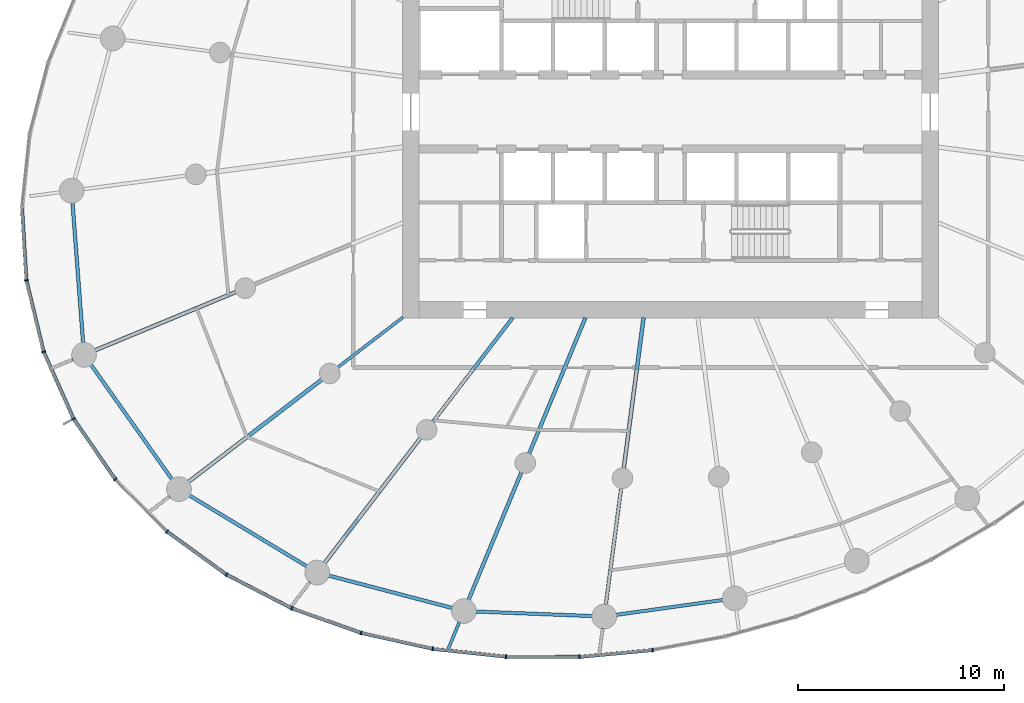
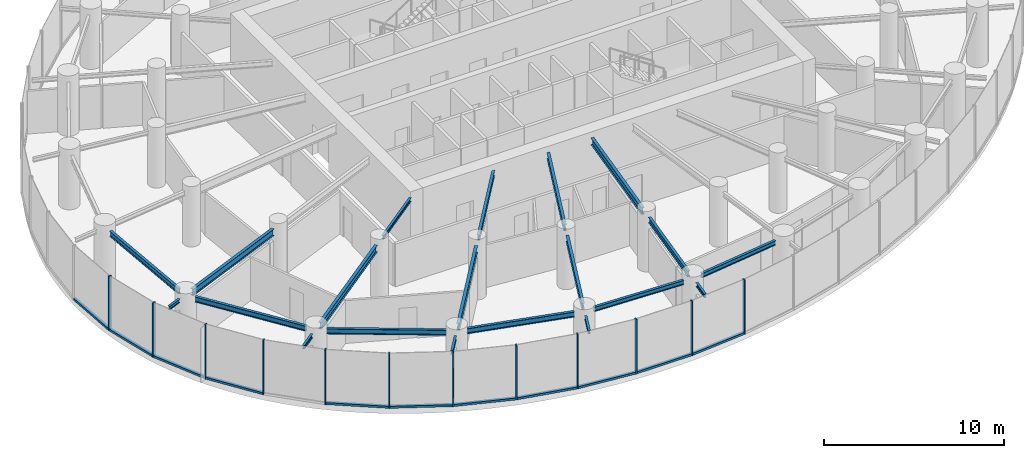
# One storey, part 2 of 17: 23 members, 20 beams, 3 elements without a shape of their own.
"""IFC4 building model written with IfcOpenShell, lengths in metres."""

from ifc_helpers import new_model, si_unit, direction, frame, origin, origin_2d, place, context, subcontext, project, spatial, rectangle, i_section, extrude, source, transform, mapped, material, layer, layer_set, material_profile, profile_set, type_object, element, aggregate, save


model = new_model("IFC4")

# Units and contexts
model_context = context("Model", 3, precision=1e-05, world=origin(), true_north=direction((0.0, 1.0)))
body_context = subcontext(model_context, "Body", "Model", "MODEL_VIEW")
ifc_project = project(units=[si_unit("LENGTHUNIT", "METRE"), si_unit("AREAUNIT", "SQUARE_METRE"), si_unit("VOLUMEUNIT", "CUBIC_METRE"), si_unit("PLANEANGLEUNIT", "RADIAN"), si_unit("MASSUNIT", "GRAM", prefix="KILO")], contexts=[model_context])

# Site, building, storey
site_placement = place(None, origin())
site = spatial("IfcSite", under=ifc_project, at=site_placement, CompositionType="ELEMENT")
building_placement = place(site_placement, origin())
building = spatial("IfcBuilding", under=site, at=building_placement, Name="Spindrift Exchange Tower", CompositionType="ELEMENT")
storey_placement = place(building_placement, frame((0.0, 0.0, 92.10009765625)))
storey = spatial("IfcBuildingStorey", under=building, at=storey_placement, Name="L21", CompositionType="ELEMENT", Elevation=92.10009765625)

# Beams
ifc_material_1 = material(Name="Steel Grade 300", Category="steel")
ifc_material_profile_1 = material_profile(ifc_material_1, i_section(OverallWidth=0.14599609375, OverallDepth=0.251953125, WebThickness=0.006103515625, FlangeThickness=0.008544921875, FilletRadius=0.011962890625, at=origin_2d()), Name="250UB31.4")
ifc_profile_set_1 = profile_set([ifc_material_profile_1], Name="Steel Grade 300")
beam_type_1 = type_object("IfcBeamType", Name="Floor Beam 250UB31.4 Steel Grade 300", PredefinedType="BEAM", material=ifc_profile_set_1)
shared_shape_1 = source(origin(), body_context, "Body", "SweptSolid", [
    extrude(i_section(OverallWidth=0.14599609375, OverallDepth=0.251953125, WebThickness=0.006103515625, FlangeThickness=0.008544921875, FilletRadius=0.011962890625, at=origin_2d()), origin(), (0.0, 0.0, 1.0), 3.99560546875),
])
beam_1_placement = place(storey_placement, frame((39.015869140625, 38.036865234375, 3.573974609375), z_axis=(-0.793352561574, -0.608762443851, 0.0), x_axis=(0.608762443851, -0.793352561574, 0.0)))
element("IfcBeam", 1, at=beam_1_placement, inside=storey, type_object=beam_type_1, Name="L21 radial beam R15A", PredefinedType="BEAM", context=body_context, shape_type="MappedRepresentation", body=[
    mapped(shared_shape_1, transform((0.0, 0.0, 0.0), scale=1.0)),
])
ifc_material_profile_2 = material_profile(ifc_material_1, i_section(OverallWidth=0.172119140625, OverallDepth=0.35888671875, WebThickness=0.008056640625, FlangeThickness=0.012939453125, FilletRadius=0.013916015625, at=origin_2d()), Name="360UB56.7")
ifc_profile_set_2 = profile_set([ifc_material_profile_2], Name="Steel Grade 300")
beam_type_2 = type_object("IfcBeamType", Name="Floor Beam 360UB56.7 Steel Grade 300", PredefinedType="BEAM", material=ifc_profile_set_2)
shared_shape_2 = source(origin(), body_context, "Body", "SweptSolid", [
    extrude(i_section(OverallWidth=0.172119140625, OverallDepth=0.35888671875, WebThickness=0.008056640625, FlangeThickness=0.012939453125, FilletRadius=0.013916015625, at=origin_2d()), origin(), (0.0, 0.0, 1.0), 6.37646484375),
])
beam_2_placement = place(storey_placement, frame((44.3388671875, 38.015869140625, 3.5205078125), z_axis=(-0.608766669952, -0.793349318747, 0.0), x_axis=(0.793349318747, -0.608766669952, 0.0)))
element("IfcBeam", 2, at=beam_2_placement, inside=storey, type_object=beam_type_2, Name="L21 radial beam R16A", PredefinedType="BEAM", context=body_context, shape_type="MappedRepresentation", body=[
    mapped(shared_shape_2, transform((0.0, 0.0, 0.0), scale=1.0)),
])
ifc_material_profile_3 = material_profile(ifc_material_1, i_section(OverallWidth=0.177978515625, OverallDepth=0.406005859375, WebThickness=0.0078125, FlangeThickness=0.0126953125, FilletRadius=0.013916015625, at=origin_2d()), Name="410UB59.7")
ifc_profile_set_3 = profile_set([ifc_material_profile_3], Name="Steel Grade 300")
beam_type_3 = type_object("IfcBeamType", Name="Floor Beam 410UB59.7 Steel Grade 300", PredefinedType="BEAM", material=ifc_profile_set_3)
shared_shape_3 = source(origin(), body_context, "Body", "SweptSolid", [
    extrude(i_section(OverallWidth=0.177978515625, OverallDepth=0.406005859375, WebThickness=0.0078125, FlangeThickness=0.0126953125, FilletRadius=0.013916015625, at=origin_2d()), origin(), (0.0, 0.0, 1.0), 7.150634765625),
])
beam_3_placement = place(storey_placement, frame((47.865478515625, 38.0185546875, 3.496826171875), z_axis=(-0.382665393358, -0.923887004306, 0.0), x_axis=(0.923887004306, -0.382665393358, 0.0)))
element("IfcBeam", 3, at=beam_3_placement, inside=storey, type_object=beam_type_3, Name="L21 radial beam R17A", PredefinedType="BEAM", context=body_context, shape_type="MappedRepresentation", body=[
    mapped(shared_shape_3, transform((0.0, 0.0, 0.0), scale=1.0)),
])
ifc_material_profile_4 = material_profile(ifc_material_1, i_section(OverallWidth=0.18994140625, OverallDepth=0.45703125, WebThickness=0.009033203125, FlangeThickness=0.014404296875, FilletRadius=0.013916015625, at=origin_2d()), Name="460UB74.6")
ifc_profile_set_4 = profile_set([ifc_material_profile_4], Name="Steel Grade 300")
beam_type_4 = type_object("IfcBeamType", Name="Floor Beam 460UB74.6 Steel Grade 300", PredefinedType="BEAM", material=ifc_profile_set_4)
shared_shape_4 = source(origin(), body_context, "Body", "SweptSolid", [
    extrude(i_section(OverallWidth=0.18994140625, OverallDepth=0.45703125, WebThickness=0.009033203125, FlangeThickness=0.014404296875, FilletRadius=0.013916015625, at=origin_2d()), origin(), (0.0, 0.0, 1.0), 7.374267578125),
])
beam_4_placement = place(storey_placement, frame((50.68603515625, 38.019775390625, 3.471435546875), z_axis=(-0.130539295622, -0.99144313619, 0.0), x_axis=(0.99144313619, -0.130539295622, 0.0)))
element("IfcBeam", 4, at=beam_4_placement, inside=storey, type_object=beam_type_4, Name="L21 radial beam R18A", PredefinedType="BEAM", context=body_context, shape_type="MappedRepresentation", body=[
    mapped(shared_shape_4, transform((0.0, 0.0, 0.0), scale=1.0)),
])
shared_shape_5 = source(origin(), body_context, "Body", "SweptSolid", [
    extrude(i_section(OverallWidth=0.18994140625, OverallDepth=0.45703125, WebThickness=0.009033203125, FlangeThickness=0.014404296875, FilletRadius=0.013916015625, at=origin_2d()), origin(), (0.0, 0.0, 1.0), 7.400146484375),
])
beam_5_placement = place(storey_placement, frame((30.917236328125, 39.26708984375, 3.471435546875), z_axis=(-0.923886957755, -0.382665505749, 0.0), x_axis=(0.382665505749, -0.923886957755, 0.0)))
element("IfcBeam", 5, at=beam_5_placement, inside=storey, type_object=beam_type_4, Name="L21 radial beam R14B", PredefinedType="BEAM", context=body_context, shape_type="MappedRepresentation", body=[
    mapped(shared_shape_5, transform((0.0, 0.0, 0.0), scale=1.0)),
])
shared_shape_6 = source(origin(), body_context, "Body", "SweptSolid", [
    extrude(i_section(OverallWidth=0.18994140625, OverallDepth=0.45703125, WebThickness=0.009033203125, FlangeThickness=0.014404296875, FilletRadius=0.013916015625, at=origin_2d()), origin(), (0.0, 0.0, 1.0), 8.158447265625),
])
beam_6_placement = place(storey_placement, frame((35.08447265625, 35.020263671875, 3.471435546875), z_axis=(-0.793358732539, -0.608754401631, 0.0), x_axis=(0.608754401631, -0.793358732539, 0.0)))
element("IfcBeam", 6, at=beam_6_placement, inside=storey, type_object=beam_type_4, Name="L21 radial beam R15B", PredefinedType="BEAM", context=body_context, shape_type="MappedRepresentation", body=[
    mapped(shared_shape_6, transform((0.0, 0.0, 0.0), scale=1.0)),
])
shared_shape_7 = source(origin(), body_context, "Body", "SweptSolid", [
    extrude(i_section(OverallWidth=0.18994140625, OverallDepth=0.45703125, WebThickness=0.009033203125, FlangeThickness=0.014404296875, FilletRadius=0.013916015625, at=origin_2d()), origin(), (0.0, 0.0, 1.0), 7.663818359375),
])
beam_7_placement = place(storey_placement, frame((39.872802734375, 32.1953125, 3.471435546875), z_axis=(-0.608771227503, -0.793345821546, 0.0), x_axis=(0.793345821546, -0.608771227503, 0.0)))
element("IfcBeam", 7, at=beam_7_placement, inside=storey, type_object=beam_type_4, Name="L21 radial beam R16B", PredefinedType="BEAM", context=body_context, shape_type="MappedRepresentation", body=[
    mapped(shared_shape_7, transform((0.0, 0.0, 0.0), scale=1.0)),
])
shared_shape_8 = source(origin(), body_context, "Body", "SweptSolid", [
    extrude(i_section(OverallWidth=0.177978515625, OverallDepth=0.406005859375, WebThickness=0.0078125, FlangeThickness=0.0126953125, FilletRadius=0.013916015625, at=origin_2d()), origin(), (0.0, 0.0, 1.0), 6.71240234375),
])
beam_8_placement = place(storey_placement, frame((44.76171875, 30.525146484375, 3.496826171875), z_axis=(-0.382669812754, -0.923885173821, 0.0), x_axis=(0.923885173821, -0.382669812754, 0.0)))
element("IfcBeam", 8, at=beam_8_placement, inside=storey, type_object=beam_type_3, Name="L21 radial beam R17B", PredefinedType="BEAM", context=body_context, shape_type="MappedRepresentation", body=[
    mapped(shared_shape_8, transform((0.0, 0.0, 0.0), scale=1.0)),
])
shared_shape_9 = source(origin(), body_context, "Body", "SweptSolid", [
    extrude(i_section(OverallWidth=0.172119140625, OverallDepth=0.35888671875, WebThickness=0.008056640625, FlangeThickness=0.012939453125, FilletRadius=0.013916015625, at=origin_2d()), origin(), (0.0, 0.0, 1.0), 5.70751953125),
])
beam_9_placement = place(storey_placement, frame((49.59814453125, 29.7568359375, 3.5205078125), z_axis=(-0.130507624881, -0.991447305634, 0.0), x_axis=(0.991447305634, -0.130507624881, 0.0)))
element("IfcBeam", 9, at=beam_9_placement, inside=storey, type_object=beam_type_2, Name="L21 radial beam R18B", PredefinedType="BEAM", context=body_context, shape_type="MappedRepresentation", body=[
    mapped(shared_shape_9, transform((0.0, 0.0, 0.0), scale=1.0)),
])
ifc_material_profile_5 = material_profile(ifc_material_1, i_section(OverallWidth=0.172119140625, OverallDepth=0.35888671875, WebThickness=0.008056640625, FlangeThickness=0.012939453125, FilletRadius=0.013916015625, at=origin_2d()), Name="360UB56.7")
ifc_profile_set_5 = profile_set([ifc_material_profile_5], Name="Steel Grade 300")
beam_type_5 = type_object("IfcBeamType", Name="Edge Beam 360UB56.7 Steel Grade 300", PredefinedType="SPANDREL", material=ifc_profile_set_5)
shared_shape_10 = source(origin(), body_context, "Body", "SweptSolid", [
    extrude(i_section(OverallWidth=0.172119140625, OverallDepth=0.35888671875, WebThickness=0.008056640625, FlangeThickness=0.012939453125, FilletRadius=0.013916015625, at=origin_2d()), origin(), (0.0, 0.0, 1.0), 6.82373046875),
])
beam_10_placement = place(storey_placement, frame((22.9873046875, 43.59619140625, 3.5205078125), z_axis=(0.075276463877, -0.997162701863, 0.0), x_axis=(0.997162701863, 0.075276463877, 0.0)))
element("IfcBeam", 10, at=beam_10_placement, inside=storey, type_object=beam_type_5, Name="L21 edge beam E13", PredefinedType="SPANDREL", context=body_context, shape_type="MappedRepresentation", body=[
    mapped(shared_shape_10, transform((0.0, 0.0, 0.0), scale=1.0)),
])
shared_shape_11 = source(origin(), body_context, "Body", "SweptSolid", [
    extrude(i_section(OverallWidth=0.172119140625, OverallDepth=0.35888671875, WebThickness=0.008056640625, FlangeThickness=0.012939453125, FilletRadius=0.013916015625, at=origin_2d()), origin(), (0.0, 0.0, 1.0), 6.81787109375),
])
beam_11_placement = place(storey_placement, frame((23.87939453125, 35.739990234375, 3.5205078125), z_axis=(0.577526426198, -0.816371990604, 0.0), x_axis=(0.816371990604, 0.577526426198, 0.0)))
element("IfcBeam", 11, at=beam_11_placement, inside=storey, type_object=beam_type_5, Name="L21 edge beam E14", PredefinedType="SPANDREL", context=body_context, shape_type="MappedRepresentation", body=[
    mapped(shared_shape_11, transform((0.0, 0.0, 0.0), scale=1.0)),
])
shared_shape_12 = source(origin(), body_context, "Body", "SweptSolid", [
    extrude(i_section(OverallWidth=0.172119140625, OverallDepth=0.35888671875, WebThickness=0.008056640625, FlangeThickness=0.012939453125, FilletRadius=0.013916015625, at=origin_2d()), origin(), (0.0, 0.0, 1.0), 6.668701171875),
])
beam_12_placement = place(storey_placement, frame((28.6484375, 29.40087890625, 3.5205078125), z_axis=(0.856133207479, -0.516755194508, 0.0), x_axis=(0.516755194508, 0.856133207479, 0.0)))
element("IfcBeam", 12, at=beam_12_placement, inside=storey, type_object=beam_type_5, Name="L21 edge beam E15", PredefinedType="SPANDREL", context=body_context, shape_type="MappedRepresentation", body=[
    mapped(shared_shape_12, transform((0.0, 0.0, 0.0), scale=1.0)),
])
shared_shape_13 = source(origin(), body_context, "Body", "SweptSolid", [
    extrude(i_section(OverallWidth=0.172119140625, OverallDepth=0.35888671875, WebThickness=0.008056640625, FlangeThickness=0.012939453125, FilletRadius=0.013916015625, at=origin_2d()), origin(), (0.0, 0.0, 1.0), 6.197509765625),
])
beam_13_placement = place(storey_placement, frame((35.415283203125, 25.508056640625, 3.5205078125), z_axis=(0.967254420813, -0.253808757567, 0.0), x_axis=(0.253808757567, 0.967254420813, 0.0)))
element("IfcBeam", 13, at=beam_13_placement, inside=storey, type_object=beam_type_5, Name="L21 edge beam E16", PredefinedType="SPANDREL", context=body_context, shape_type="MappedRepresentation", body=[
    mapped(shared_shape_13, transform((0.0, 0.0, 0.0), scale=1.0)),
])
ifc_material_profile_6 = material_profile(ifc_material_1, i_section(OverallWidth=0.1650390625, OverallDepth=0.303955078125, WebThickness=0.006103515625, FlangeThickness=0.01025390625, FilletRadius=0.011474609375, at=origin_2d()), Name="310UB40.4")
ifc_profile_set_6 = profile_set([ifc_material_profile_6], Name="Steel Grade 300")
beam_type_6 = type_object("IfcBeamType", Name="Edge Beam 310UB40.4 Steel Grade 300", PredefinedType="SPANDREL", material=ifc_profile_set_6)
shared_shape_14 = source(origin(), body_context, "Body", "SweptSolid", [
    extrude(i_section(OverallWidth=0.1650390625, OverallDepth=0.303955078125, WebThickness=0.006103515625, FlangeThickness=0.01025390625, FilletRadius=0.011474609375, at=origin_2d()), origin(), (0.0, 0.0, 1.0), 5.65185546875),
])
beam_14_placement = place(storey_placement, frame((42.550537109375, 23.765380859375, 3.5478515625), z_axis=(0.99924397539, -0.038877726865, 0.0), x_axis=(0.038877726865, 0.99924397539, 0.0)))
element("IfcBeam", 14, at=beam_14_placement, inside=storey, type_object=beam_type_6, Name="L21 edge beam E17", PredefinedType="SPANDREL", context=body_context, shape_type="MappedRepresentation", body=[
    mapped(shared_shape_14, transform((0.0, 0.0, 0.0), scale=1.0)),
])
shared_shape_15 = source(origin(), body_context, "Body", "SweptSolid", [
    extrude(i_section(OverallWidth=0.1650390625, OverallDepth=0.303955078125, WebThickness=0.006103515625, FlangeThickness=0.01025390625, FilletRadius=0.011474609375, at=origin_2d()), origin(), (0.0, 0.0, 1.0), 5.22998046875),
])
beam_15_placement = place(storey_placement, frame((49.35205078125, 23.603271484375, 3.5478515625), z_axis=(0.990440078597, 0.137943650481, 0.0), x_axis=(-0.137943650481, 0.990440078597, 0.0)))
element("IfcBeam", 15, at=beam_15_placement, inside=storey, type_object=beam_type_6, Name="L21 edge beam E18", PredefinedType="SPANDREL", context=body_context, shape_type="MappedRepresentation", body=[
    mapped(shared_shape_15, transform((0.0, 0.0, 0.0), scale=1.0)),
])
ifc_material_profile_7 = material_profile(ifc_material_1, i_section(OverallWidth=0.14599609375, OverallDepth=0.251953125, WebThickness=0.006103515625, FlangeThickness=0.008544921875, FilletRadius=0.011962890625, at=origin_2d()), Name="250UB31.4")
ifc_profile_set_7 = profile_set([ifc_material_profile_7], Name="Steel Grade 300")
beam_type_7 = type_object("IfcBeamType", Name="Cantilever Beam 250UB31.4 Steel Grade 300", PredefinedType="BEAM", material=ifc_profile_set_7)
shared_shape_16 = source(origin(), body_context, "Body", "SweptSolid", [
    extrude(i_section(OverallWidth=0.14599609375, OverallDepth=0.251953125, WebThickness=0.006103515625, FlangeThickness=0.008544921875, FilletRadius=0.011962890625, at=origin_2d()), origin(), (0.0, 0.0, 1.0), 0.95751953125),
])
beam_16_placement = place(storey_placement, frame((23.0087890625, 35.991455078125, 3.573974609375), z_axis=(-0.923852099304, -0.382749655273, 0.0), x_axis=(0.382749655273, -0.923852099304, 0.0)))
element("IfcBeam", 16, at=beam_16_placement, inside=storey, type_object=beam_type_7, Name="L21 cantilever beam R14T", PredefinedType="BEAM", context=body_context, shape_type="MappedRepresentation", body=[
    mapped(shared_shape_16, transform((0.0, 0.0, 0.0), scale=1.0)),
])
shared_shape_17 = source(origin(), body_context, "Body", "SweptSolid", [
    extrude(i_section(OverallWidth=0.14599609375, OverallDepth=0.251953125, WebThickness=0.006103515625, FlangeThickness=0.008544921875, FilletRadius=0.011962890625, at=origin_2d()), origin(), (0.0, 0.0, 1.0), 1.243896484375),
])
beam_17_placement = place(storey_placement, frame((27.691650390625, 29.347412109375, 3.573974609375), z_axis=(-0.793404120927, -0.60869524468, 0.0), x_axis=(0.60869524468, -0.793404120927, 0.0)))
element("IfcBeam", 17, at=beam_17_placement, inside=storey, type_object=beam_type_7, Name="L21 cantilever beam R15T", PredefinedType="BEAM", context=body_context, shape_type="MappedRepresentation", body=[
    mapped(shared_shape_17, transform((0.0, 0.0, 0.0), scale=1.0)),
])
shared_shape_18 = source(origin(), body_context, "Body", "SweptSolid", [
    extrude(i_section(OverallWidth=0.14599609375, OverallDepth=0.251953125, WebThickness=0.006103515625, FlangeThickness=0.008544921875, FilletRadius=0.011962890625, at=origin_2d()), origin(), (0.0, 0.0, 1.0), 1.513916015625),
])
beam_18_placement = place(storey_placement, frame((34.501220703125, 25.195068359375, 3.573974609375), z_axis=(-0.60873617864, -0.793372714942, 0.0), x_axis=(0.793372714942, -0.60873617864, 0.0)))
element("IfcBeam", 18, at=beam_18_placement, inside=storey, type_object=beam_type_7, Name="L21 cantilever beam R16T", PredefinedType="BEAM", context=body_context, shape_type="MappedRepresentation", body=[
    mapped(shared_shape_18, transform((0.0, 0.0, 0.0), scale=1.0)),
])
shared_shape_19 = source(origin(), body_context, "Body", "SweptSolid", [
    extrude(i_section(OverallWidth=0.14599609375, OverallDepth=0.251953125, WebThickness=0.006103515625, FlangeThickness=0.008544921875, FilletRadius=0.011962890625, at=origin_2d()), origin(), (0.0, 0.0, 1.0), 1.463623046875),
])
beam_19_placement = place(storey_placement, frame((41.7490234375, 23.251953125, 3.573974609375), z_axis=(-0.382636602679, -0.923898928612, 0.0), x_axis=(0.923898928612, -0.382636602679, 0.0)))
element("IfcBeam", 19, at=beam_19_placement, inside=storey, type_object=beam_type_7, Name="L21 cantilever beam R17T", PredefinedType="BEAM", context=body_context, shape_type="MappedRepresentation", body=[
    mapped(shared_shape_19, transform((0.0, 0.0, 0.0), scale=1.0)),
])
shared_shape_20 = source(origin(), body_context, "Body", "SweptSolid", [
    extrude(i_section(OverallWidth=0.14599609375, OverallDepth=0.251953125, WebThickness=0.006103515625, FlangeThickness=0.008544921875, FilletRadius=0.011962890625, at=origin_2d()), origin(), (0.0, 0.0, 1.0), 1.239501953125),
])
beam_20_placement = place(storey_placement, frame((48.701904296875, 22.9482421875, 3.573974609375), z_axis=(-0.130576783147, -0.991438199639, 0.0), x_axis=(0.991438199639, -0.130576783147, 0.0)))
element("IfcBeam", 20, at=beam_20_placement, inside=storey, type_object=beam_type_7, Name="L21 cantilever beam R18T", PredefinedType="BEAM", context=body_context, shape_type="MappedRepresentation", body=[
    mapped(shared_shape_20, transform((0.0, 0.0, 0.0), scale=1.0)),
])

# Curtain wall, members
ifc_material_2 = material(Name="Fritted laminated glass with bronze frame", Category="glass")
ifc_layer = layer(ifc_material_2, 0.18994140625)
ifc_layer_set = layer_set([ifc_layer], Name="ZONE 2 BRONZE FRITTED WALL")
curtain_wall_type = type_object("IfcCurtainWallType", Name="ZONE 2 BRONZE FRITTED WALL", PredefinedType="NOTDEFINED", material=ifc_layer_set)
curtain_wall_1_placement = place(storey_placement, origin())
curtain_wall_1 = element("IfcCurtainWall", 21, at=curtain_wall_1_placement, inside=storey, type_object=curtain_wall_type, Name="L21 Zone 2 Bronze Fritted Wall run 5", PredefinedType="NOTDEFINED")
ifc_material_3 = material(Name="Bronze anodised aluminium", Category="aluminium")
ifc_material_profile_8 = material_profile(ifc_material_3, rectangle(XDim=0.074951171875, YDim=0.18994140625, at=origin_2d()), Name="ZONE 2 BRONZE FRITTED WALL MULLION 75X190")
ifc_profile_set_8 = profile_set([ifc_material_profile_8], Name="Bronze anodised aluminium")
member_type_1 = type_object("IfcMemberType", Name="ZONE 2 BRONZE FRITTED WALL MULLION 75X190", PredefinedType="MULLION", material=ifc_profile_set_8)
shared_shape_21 = source(origin(), body_context, "Body", "SweptSolid", [
    extrude(rectangle(XDim=0.074951171875, YDim=0.18994140625, at=origin_2d()), origin(), (0.0, 0.0, 1.0), 3.699951171875),
])
member_1_placement = place(storey_placement, frame((20.75, 39.828857421875, 0.0), z_axis=(0.0, 0.0, 1.0), x_axis=(0.14797729873, -0.988990757824, 0.0)))
member_1 = element("IfcMember", 22, at=member_1_placement, type_object=member_type_1, Name="L21 mullion CW-2.25", PredefinedType="MULLION", context=body_context, shape_type="MappedRepresentation", body=[
    mapped(shared_shape_21, transform((0.0, 0.0, 0.0), scale=1.0)),
])
member_2_placement = place(storey_placement, frame((21.58544921875, 36.365234375, 0.0), z_axis=(0.0, 0.0, 1.0), x_axis=(0.322523864944, -0.946561332689, 0.0)))
member_2 = element("IfcMember", 23, at=member_2_placement, type_object=member_type_1, Name="L21 mullion CW-2.26", PredefinedType="MULLION", context=body_context, shape_type="MappedRepresentation", body=[
    mapped(shared_shape_21, transform((0.0, 0.0, 0.0), scale=1.0)),
])
member_3_placement = place(storey_placement, frame((23.03857421875, 33.1123046875, 0.0), z_axis=(0.0, 0.0, 1.0), x_axis=(0.48973980304, -0.871868639944, 0.0)))
member_3 = element("IfcMember", 24, at=member_3_placement, type_object=member_type_1, Name="L21 mullion CW-2.27", PredefinedType="MULLION", context=body_context, shape_type="MappedRepresentation", body=[
    mapped(shared_shape_21, transform((0.0, 0.0, 0.0), scale=1.0)),
])
member_4_placement = place(storey_placement, frame((25.060546875, 30.178955078125, 0.0), z_axis=(0.0, 0.0, 1.0), x_axis=(0.63782288092, -0.77018307731, 0.0)))
member_4 = element("IfcMember", 25, at=member_4_placement, type_object=member_type_1, Name="L21 mullion CW-2.28", PredefinedType="MULLION", context=body_context, shape_type="MappedRepresentation", body=[
    mapped(shared_shape_21, transform((0.0, 0.0, 0.0), scale=1.0)),
])
member_5_placement = place(storey_placement, frame((27.566162109375, 27.645263671875, 0.0), z_axis=(0.0, 0.0, 1.0), x_axis=(0.759129740191, -0.650939350138, 0.0)))
member_5 = element("IfcMember", 26, at=member_5_placement, type_object=member_type_1, Name="L21 mullion CW-2.29", PredefinedType="MULLION", context=body_context, shape_type="MappedRepresentation", body=[
    mapped(shared_shape_21, transform((0.0, 0.0, 0.0), scale=1.0)),
])
member_6_placement = place(storey_placement, frame((30.452880859375, 25.554931640625, 0.0), z_axis=(0.0, 0.0, 1.0), x_axis=(0.851625890467, -0.524150114649, 0.0)))
member_6 = element("IfcMember", 27, at=member_6_placement, type_object=member_type_1, Name="L21 mullion CW-2.30", PredefinedType="MULLION", context=body_context, shape_type="MappedRepresentation", body=[
    mapped(shared_shape_21, transform((0.0, 0.0, 0.0), scale=1.0)),
])

curtain_wall_2_placement = place(storey_placement, origin())
curtain_wall_2 = element("IfcCurtainWall", 28, at=curtain_wall_2_placement, inside=storey, type_object=curtain_wall_type, Name="L21 Zone 2 Bronze Fritted Wall run 6", PredefinedType="NOTDEFINED")
member_7_placement = place(storey_placement, frame((33.6201171875, 23.919189453125, 0.0), z_axis=(0.0, 0.0, 1.0), x_axis=(0.917541517336, -0.397639992914, 0.0)))
member_7 = element("IfcMember", 29, at=member_7_placement, type_object=member_type_1, Name="L21 mullion CW-2.31", PredefinedType="MULLION", context=body_context, shape_type="MappedRepresentation", body=[
    mapped(shared_shape_21, transform((0.0, 0.0, 0.0), scale=1.0)),
])
member_8_placement = place(storey_placement, frame((36.97998046875, 22.726318359375, 0.0), z_axis=(0.0, 0.0, 1.0), x_axis=(0.9611300059, -0.27609620019, 0.0)))
member_8 = element("IfcMember", 30, at=member_8_placement, type_object=member_type_1, Name="L21 mullion CW-2.32", PredefinedType="MULLION", context=body_context, shape_type="MappedRepresentation", body=[
    mapped(shared_shape_21, transform((0.0, 0.0, 0.0), scale=1.0)),
])
member_9_placement = place(storey_placement, frame((40.461181640625, 21.9541015625, 0.0), z_axis=(0.0, 0.0, 1.0), x_axis=(0.986848928737, -0.161645265478, 0.0)))
member_9 = element("IfcMember", 31, at=member_9_placement, type_object=member_type_1, Name="L21 mullion CW-2.33", PredefinedType="MULLION", context=body_context, shape_type="MappedRepresentation", body=[
    mapped(shared_shape_21, transform((0.0, 0.0, 0.0), scale=1.0)),
])
member_10_placement = place(storey_placement, frame((44.007080078125, 21.575439453125, 0.0), z_axis=(0.0, 0.0, 1.0), x_axis=(0.998496749127, -0.054810965891, 0.0)))
member_10 = element("IfcMember", 32, at=member_10_placement, type_object=member_type_1, Name="L21 mullion CW-2.34", PredefinedType="MULLION", context=body_context, shape_type="MappedRepresentation", body=[
    mapped(shared_shape_21, transform((0.0, 0.0, 0.0), scale=1.0)),
])
member_11_placement = place(storey_placement, frame((47.5732421875, 21.563720703125, 0.0), z_axis=(0.0, 0.0, 1.0), x_axis=(0.99899465088, 0.044829538399, 0.0)))
member_11 = element("IfcMember", 33, at=member_11_placement, type_object=member_type_1, Name="L21 mullion CW-2.35", PredefinedType="MULLION", context=body_context, shape_type="MappedRepresentation", body=[
    mapped(shared_shape_21, transform((0.0, 0.0, 0.0), scale=1.0)),
])
member_12_placement = place(storey_placement, frame((51.124267578125, 21.894775390625, 0.0), z_axis=(0.0, 0.0, 1.0), x_axis=(0.990423228393, 0.138064581482, 0.0)))
member_12 = element("IfcMember", 34, at=member_12_placement, type_object=member_type_1, Name="L21 mullion CW-2.36", PredefinedType="MULLION", context=body_context, shape_type="MappedRepresentation", body=[
    mapped(shared_shape_21, transform((0.0, 0.0, 0.0), scale=1.0)),
])
ifc_material_profile_9 = material_profile(ifc_material_3, rectangle(XDim=0.169921875, YDim=0.139892578125, at=origin_2d()), Name="ZONE 2 BRONZE FRITTED WALL TRANSOM 170X140")
ifc_profile_set_9 = profile_set([ifc_material_profile_9], Name="Bronze anodised aluminium")
member_type_2 = type_object("IfcMemberType", Name="ZONE 2 BRONZE FRITTED WALL TRANSOM 170X140", PredefinedType="USERDEFINED", material=ifc_profile_set_9)
shared_shape_22 = source(origin(), body_context, "Body", "SweptSolid", [
    extrude(rectangle(XDim=0.169921875, YDim=0.139892578125, at=origin_2d()), origin(), (0.0, 0.0, 1.0), 3.4912109375),
])
member_13_placement = place(storey_placement, frame((40.498291015625, 21.9501953125, 0.06982421875), z_axis=(0.994342175307, -0.106224471784, 0.0), x_axis=(0.106224471784, 0.994342175307, 0.0)))
member_13 = element("IfcMember", 35, at=member_13_placement, type_object=member_type_2, Name="L21 transom CW-2.33", ObjectType="TRANSOM", PredefinedType="USERDEFINED", context=body_context, shape_type="MappedRepresentation", body=[
    mapped(shared_shape_22, transform((0.0, 0.0, 0.0), scale=1.0)),
])
member_14_placement = place(storey_placement, frame((44.04443359375, 21.5751953125, 0.06982421875), z_axis=(0.999994598802, -0.003286695535, 0.0), x_axis=(0.003286695535, 0.999994598802, 0.0)))
member_14 = element("IfcMember", 36, at=member_14_placement, type_object=member_type_2, Name="L21 transom CW-2.34", ObjectType="TRANSOM", PredefinedType="USERDEFINED", context=body_context, shape_type="MappedRepresentation", body=[
    mapped(shared_shape_22, transform((0.0, 0.0, 0.0), scale=1.0)),
])

# Member
shared_shape_23 = source(origin(), body_context, "Body", "SweptSolid", [
    extrude(rectangle(XDim=0.169921875, YDim=0.139892578125, at=origin_2d()), origin(), (0.0, 0.0, 1.0), 3.489013671875),
])
member_15_placement = place(storey_placement, frame((27.5966796875, 27.623291015625, 0.06982421875), z_axis=(0.809938682913, -0.586514560707, 0.0), x_axis=(0.586514560707, 0.809938682913, 0.0)))
member_15 = element("IfcMember", 37, at=member_15_placement, type_object=member_type_2, Name="L21 transom CW-2.29", ObjectType="TRANSOM", PredefinedType="USERDEFINED", context=body_context, shape_type="MappedRepresentation", body=[
    mapped(shared_shape_23, transform((0.0, 0.0, 0.0), scale=1.0)),
])

shared_shape_24 = source(origin(), body_context, "Body", "SweptSolid", [
    extrude(rectangle(XDim=0.169921875, YDim=0.139892578125, at=origin_2d()), origin(), (0.0, 0.0, 1.0), 3.487548828125),
])
member_16_placement = place(storey_placement, frame((21.600830078125, 36.3310546875, 0.06982421875), z_axis=(0.407839492645, -0.9130536393, 0.0), x_axis=(0.9130536393, 0.407839492645, 0.0)))
member_16 = element("IfcMember", 38, at=member_16_placement, type_object=member_type_2, Name="L21 transom CW-2.26", ObjectType="TRANSOM", PredefinedType="USERDEFINED", context=body_context, shape_type="MappedRepresentation", body=[
    mapped(shared_shape_24, transform((0.0, 0.0, 0.0), scale=1.0)),
])

shared_shape_25 = source(origin(), body_context, "Body", "SweptSolid", [
    extrude(rectangle(XDim=0.169921875, YDim=0.139892578125, at=origin_2d()), origin(), (0.0, 0.0, 1.0), 3.48779296875),
])
member_17_placement = place(storey_placement, frame((20.7587890625, 39.79248046875, 0.06982421875), z_axis=(0.234489997386, -0.972118532447, 0.0), x_axis=(0.972118532447, 0.234489997386, 0.0)))
member_17 = element("IfcMember", 39, at=member_17_placement, type_object=member_type_2, Name="L21 transom CW-2.25", ObjectType="TRANSOM", PredefinedType="USERDEFINED", context=body_context, shape_type="MappedRepresentation", body=[
    mapped(shared_shape_25, transform((0.0, 0.0, 0.0), scale=1.0)),
])

shared_shape_26 = source(origin(), body_context, "Body", "SweptSolid", [
    extrude(rectangle(XDim=0.169921875, YDim=0.139892578125, at=origin_2d()), origin(), (0.0, 0.0, 1.0), 3.49072265625),
])
member_18_placement = place(storey_placement, frame((37.0166015625, 22.71826171875, 0.06982421875), z_axis=(0.976261055043, -0.21659721237, 0.0), x_axis=(0.21659721237, 0.976261055043, 0.0)))
member_18 = element("IfcMember", 40, at=member_18_placement, type_object=member_type_2, Name="L21 transom CW-2.32", ObjectType="TRANSOM", PredefinedType="USERDEFINED", context=body_context, shape_type="MappedRepresentation", body=[
    mapped(shared_shape_26, transform((0.0, 0.0, 0.0), scale=1.0)),
])

shared_shape_27 = source(origin(), body_context, "Body", "SweptSolid", [
    extrude(rectangle(XDim=0.169921875, YDim=0.139892578125, at=origin_2d()), origin(), (0.0, 0.0, 1.0), 3.491455078125),
])
member_19_placement = place(storey_placement, frame((47.610595703125, 21.567138671875, 0.06982421875), z_axis=(0.995678990992, 0.09286197767, 0.0), x_axis=(-0.09286197767, 0.995678990992, 0.0)))
member_19 = element("IfcMember", 41, at=member_19_placement, type_object=member_type_2, Name="L21 transom CW-2.35", ObjectType="TRANSOM", PredefinedType="USERDEFINED", context=body_context, shape_type="MappedRepresentation", body=[
    mapped(shared_shape_27, transform((0.0, 0.0, 0.0), scale=1.0)),
])

shared_shape_28 = source(origin(), body_context, "Body", "SweptSolid", [
    extrude(rectangle(XDim=0.169921875, YDim=0.139892578125, at=origin_2d()), origin(), (0.0, 0.0, 1.0), 3.490234375),
])
member_20_placement = place(storey_placement, frame((33.655517578125, 23.90673828125, 0.06982421875), z_axis=(0.942370129193, -0.334572173985, 0.0), x_axis=(0.334572173985, 0.942370129193, 0.0)))
member_20 = element("IfcMember", 42, at=member_20_placement, type_object=member_type_2, Name="L21 transom CW-2.31", ObjectType="TRANSOM", PredefinedType="USERDEFINED", context=body_context, shape_type="MappedRepresentation", body=[
    mapped(shared_shape_28, transform((0.0, 0.0, 0.0), scale=1.0)),
])

aggregate(curtain_wall_2, [member_7, member_20, member_8, member_18, member_9, member_13, member_10, member_14, member_11, member_19, member_12])

# Curtain wall, member
curtain_wall_3_placement = place(storey_placement, origin())
curtain_wall_3 = element("IfcCurtainWall", 43, at=curtain_wall_3_placement, inside=storey, type_object=curtain_wall_type, Name="L21 Zone 2 Bronze Fritted Wall run 4", PredefinedType="NOTDEFINED")
shared_shape_29 = source(origin(), body_context, "Body", "SweptSolid", [
    extrude(rectangle(XDim=0.169921875, YDim=0.139892578125, at=origin_2d()), origin(), (0.0, 0.0, 1.0), 3.488525390625),
])
member_21_placement = place(storey_placement, frame((20.537353515625, 43.348388671875, 0.06982421875), z_axis=(0.060326022762, -0.998178726971, 0.0), x_axis=(0.998178726971, 0.060326022762, 0.0)))
member_21 = element("IfcMember", 44, at=member_21_placement, type_object=member_type_2, Name="L21 transom CW-2.24", ObjectType="TRANSOM", PredefinedType="USERDEFINED", context=body_context, shape_type="MappedRepresentation", body=[
    mapped(shared_shape_29, transform((0.0, 0.0, 0.0), scale=1.0)),
])
aggregate(curtain_wall_3, [member_21])

# Member
shared_shape_30 = source(origin(), body_context, "Body", "SweptSolid", [
    extrude(rectangle(XDim=0.169921875, YDim=0.139892578125, at=origin_2d()), origin(), (0.0, 0.0, 1.0), 3.488037109375),
])
member_22_placement = place(storey_placement, frame((23.059814453125, 33.08154296875, 0.06982421875), z_axis=(0.567523571349, -0.823357149701, 0.0), x_axis=(0.823357149701, 0.567523571349, 0.0)))
member_22 = element("IfcMember", 45, at=member_22_placement, type_object=member_type_2, Name="L21 transom CW-2.27", ObjectType="TRANSOM", PredefinedType="USERDEFINED", context=body_context, shape_type="MappedRepresentation", body=[
    mapped(shared_shape_30, transform((0.0, 0.0, 0.0), scale=1.0)),
])

shared_shape_31 = source(origin(), body_context, "Body", "SweptSolid", [
    extrude(rectangle(XDim=0.169921875, YDim=0.139892578125, at=origin_2d()), origin(), (0.0, 0.0, 1.0), 3.48974609375),
])
member_23_placement = place(storey_placement, frame((30.486328125, 25.537841796875, 0.06982421875), z_axis=(0.888501975666, -0.458872792, 0.0), x_axis=(0.458872792, 0.888501975666, 0.0)))
member_23 = element("IfcMember", 46, at=member_23_placement, type_object=member_type_2, Name="L21 transom CW-2.30", ObjectType="TRANSOM", PredefinedType="USERDEFINED", context=body_context, shape_type="MappedRepresentation", body=[
    mapped(shared_shape_31, transform((0.0, 0.0, 0.0), scale=1.0)),
])

aggregate(curtain_wall_1, [member_1, member_17, member_2, member_16, member_3, member_22, member_4, member_5, member_15, member_6, member_23])

save(model, "model.ifc")
